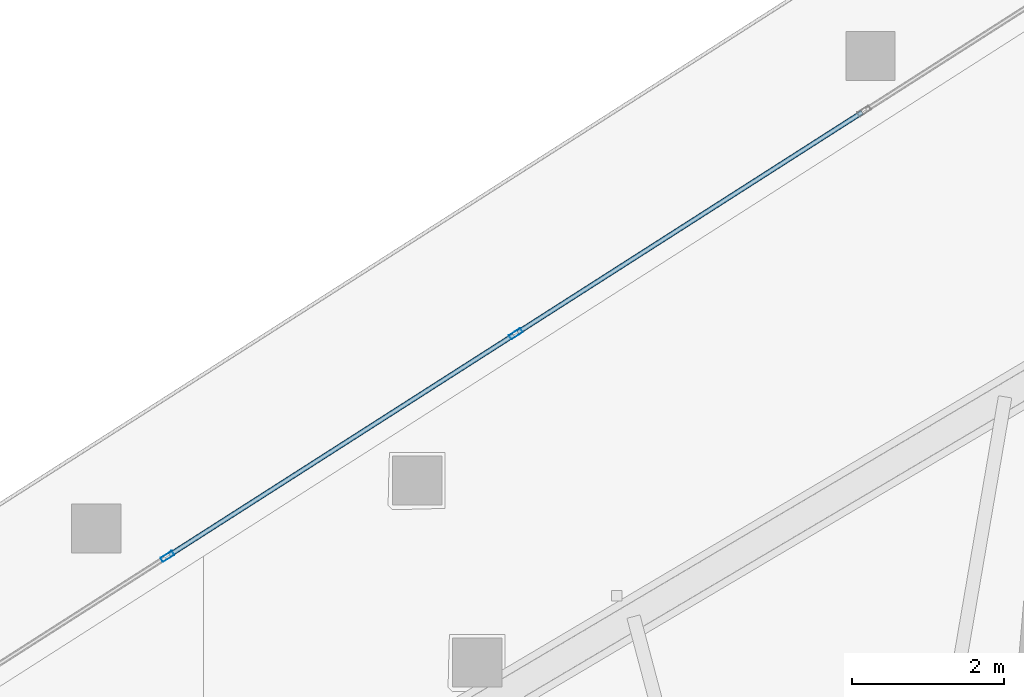
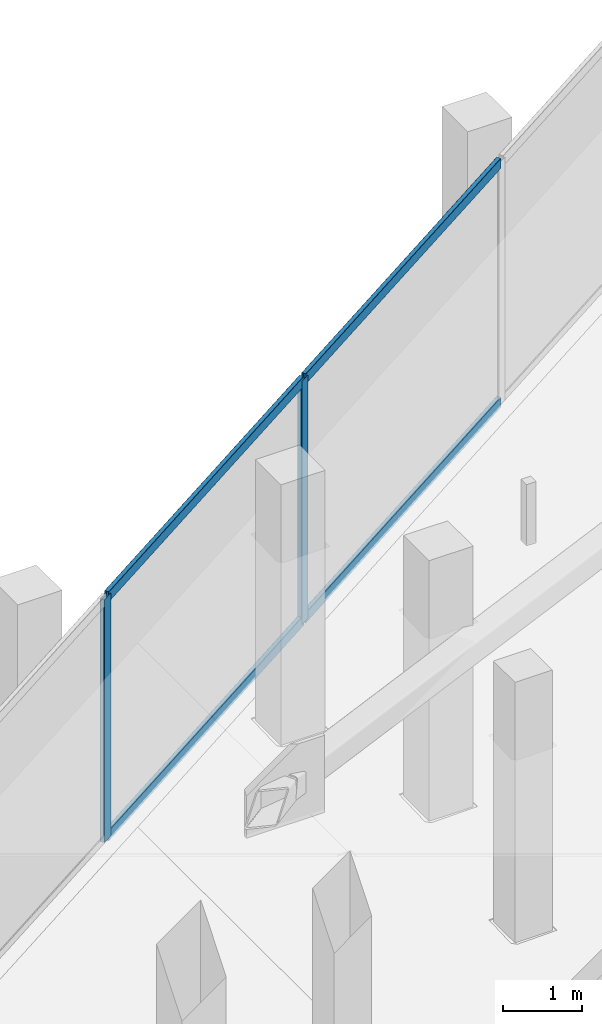
# One storey, part 18 of 40: 6 members, 1 element without a shape of its own.
"""IFC4 building model written with IfcOpenShell, lengths in metres."""

from ifc_helpers import new_model, si_unit, direction, frame, origin, origin_2d, place, context, subcontext, project, spatial, hollow_rectangle, extrude, material, layer, layer_set, material_profile, profile_set, type_object, element, aggregate, save


model = new_model("IFC4")

# Units and contexts
model_context = context("Model", 3, precision=1e-05, world=origin(), true_north=direction((0.0, 1.0)))
body_context = subcontext(model_context, "Body", "Model", "MODEL_VIEW")
ifc_project = project(units=[si_unit("LENGTHUNIT", "METRE"), si_unit("AREAUNIT", "SQUARE_METRE"), si_unit("VOLUMEUNIT", "CUBIC_METRE"), si_unit("PLANEANGLEUNIT", "RADIAN"), si_unit("MASSUNIT", "GRAM", prefix="KILO")], contexts=[model_context])

# Site, building, storey
site_placement = place(None, origin())
site = spatial("IfcSite", under=ifc_project, at=site_placement, CompositionType="ELEMENT")
building_placement = place(site_placement, origin())
building = spatial("IfcBuilding", under=site, at=building_placement, Name="Qorvath Tower", CompositionType="ELEMENT")
storey_placement = place(building_placement, frame((0.0, 0.0, 138.14990234375)))
storey = spatial("IfcBuildingStorey", under=building, at=storey_placement, Name="L31", CompositionType="ELEMENT", Elevation=138.14990234375)

# Curtain wall, members
ifc_material_1 = material(Name="Anodised aluminium and triple low-E glass", Category="aluminium")
ifc_layer = layer(ifc_material_1, 0.179931640625)
ifc_layer_set = layer_set([ifc_layer], Name="CW-SYS-3")
curtain_wall_type = type_object("IfcCurtainWallType", Name="CW-SYS-3", PredefinedType="NOTDEFINED", material=ifc_layer_set)
curtain_wall_placement = place(storey_placement, origin())
curtain_wall = element("IfcCurtainWall", 1, at=curtain_wall_placement, inside=storey, type_object=curtain_wall_type, Name="Curtain Wall CW-3 CW-T-L31-16.1", PredefinedType="NOTDEFINED")
ifc_material_2 = material(Name="Anodised aluminium 6063-T6", Category="aluminium")
ifc_material_profile_1 = material_profile(ifc_material_2, hollow_rectangle(XDim=0.06494140625, YDim=0.179931640625, WallThickness=0.00341796875, InnerFilletRadius=0.00341796875, OuterFilletRadius=0.007080078125, at=origin_2d()), Name="CWM 180x65")
ifc_profile_set_1 = profile_set([ifc_material_profile_1], Name="Anodised aluminium 6063-T6")
member_type_1 = type_object("IfcMemberType", Name="CWM-180", PredefinedType="MULLION", material=ifc_profile_set_1)
member_1_placement = place(storey_placement, frame((-29.716064453125, 21.39697265625, 0.0), z_axis=(0.0, 0.0, 1.0), x_axis=(0.538534399095, -0.842603525385, 0.0)))
member_1 = element("IfcMember", 2, at=member_1_placement, type_object=member_type_1, Name="CW-3 mullion 4", PredefinedType="MULLION", context=body_context, shape_type="SweptSolid", body=[
    extrude(hollow_rectangle(XDim=0.06494140625, YDim=0.179931640625, WallThickness=0.00341796875, InnerFilletRadius=0.00341796875, OuterFilletRadius=0.007080078125, at=origin_2d()), origin(), (0.0, 0.0, 1.0), 3.780029296875),
])
member_2_placement = place(storey_placement, frame((-34.31103515625, 18.460205078125, 0.0), z_axis=(0.0, 0.0, 1.0), x_axis=(0.538534399095, -0.842603525385, 0.0)))
member_2 = element("IfcMember", 3, at=member_2_placement, type_object=member_type_1, Name="CW-3 mullion 5", PredefinedType="MULLION", context=body_context, shape_type="SweptSolid", body=[
    extrude(hollow_rectangle(XDim=0.06494140625, YDim=0.179931640625, WallThickness=0.00341796875, InnerFilletRadius=0.00341796875, OuterFilletRadius=0.007080078125, at=origin_2d()), origin(), (0.0, 0.0, 1.0), 3.780029296875),
])
ifc_material_3 = material(Name="Anodised aluminium 6063-T6", Category="aluminium")
ifc_material_profile_2 = material_profile(ifc_material_3, hollow_rectangle(XDim=0.06494140625, YDim=0.159912109375, WallThickness=0.00341796875, InnerFilletRadius=0.00341796875, OuterFilletRadius=0.007080078125, at=origin_2d()), Name="CWT 160x65")
ifc_profile_set_2 = profile_set([ifc_material_profile_2], Name="Anodised aluminium 6063-T6")
member_type_2 = type_object("IfcMemberType", Name="CWT-160", PredefinedType="USERDEFINED", material=ifc_profile_set_2)
member_3_placement = place(storey_placement, frame((-25.1484375, 24.31640625, 0.032470703125), z_axis=(-0.842602030071, -0.538536738691, 0.0), x_axis=(0.538536738691, -0.842602030071, 0.0)))
member_3 = element("IfcMember", 4, at=member_3_placement, type_object=member_type_2, Name="CW-3 transom 3.1", ObjectType="TRANSOM", PredefinedType="USERDEFINED", context=body_context, shape_type="SweptSolid", body=[
    extrude(hollow_rectangle(XDim=0.06494140625, YDim=0.159912109375, WallThickness=0.00341796875, InnerFilletRadius=0.00341796875, OuterFilletRadius=0.007080078125, at=origin_2d()), origin(), (0.0, 0.0, 1.0), 5.388427734375),
])
member_4_placement = place(storey_placement, frame((-25.1484375, 24.31640625, 3.74755859375), z_axis=(-0.842602030071, -0.538536738691, 0.0), x_axis=(0.538536738691, -0.842602030071, 0.0)))
member_4 = element("IfcMember", 5, at=member_4_placement, type_object=member_type_2, Name="CW-3 transom 3.2", ObjectType="TRANSOM", PredefinedType="USERDEFINED", context=body_context, shape_type="SweptSolid", body=[
    extrude(hollow_rectangle(XDim=0.06494140625, YDim=0.159912109375, WallThickness=0.00341796875, InnerFilletRadius=0.00341796875, OuterFilletRadius=0.007080078125, at=origin_2d()), origin(), (0.0, 0.0, 1.0), 5.388427734375),
])
member_5_placement = place(storey_placement, frame((-29.743408203125, 21.37939453125, 0.032470703125), z_axis=(-0.842602030071, -0.538536738691, 0.0), x_axis=(0.538536738691, -0.842602030071, 0.0)))
member_5 = element("IfcMember", 6, at=member_5_placement, type_object=member_type_2, Name="CW-3 transom 4.1", ObjectType="TRANSOM", PredefinedType="USERDEFINED", context=body_context, shape_type="SweptSolid", body=[
    extrude(hollow_rectangle(XDim=0.06494140625, YDim=0.159912109375, WallThickness=0.00341796875, InnerFilletRadius=0.00341796875, OuterFilletRadius=0.007080078125, at=origin_2d()), origin(), (0.0, 0.0, 1.0), 5.388427734375),
])
member_6_placement = place(storey_placement, frame((-29.743408203125, 21.37939453125, 3.74755859375), z_axis=(-0.842602030071, -0.538536738691, 0.0), x_axis=(0.538536738691, -0.842602030071, 0.0)))
member_6 = element("IfcMember", 7, at=member_6_placement, type_object=member_type_2, Name="CW-3 transom 4.2", ObjectType="TRANSOM", PredefinedType="USERDEFINED", context=body_context, shape_type="SweptSolid", body=[
    extrude(hollow_rectangle(XDim=0.06494140625, YDim=0.159912109375, WallThickness=0.00341796875, InnerFilletRadius=0.00341796875, OuterFilletRadius=0.007080078125, at=origin_2d()), origin(), (0.0, 0.0, 1.0), 5.388427734375),
])
aggregate(curtain_wall, [member_1, member_2, member_3, member_4, member_5, member_6])

save(model, "model.ifc")
